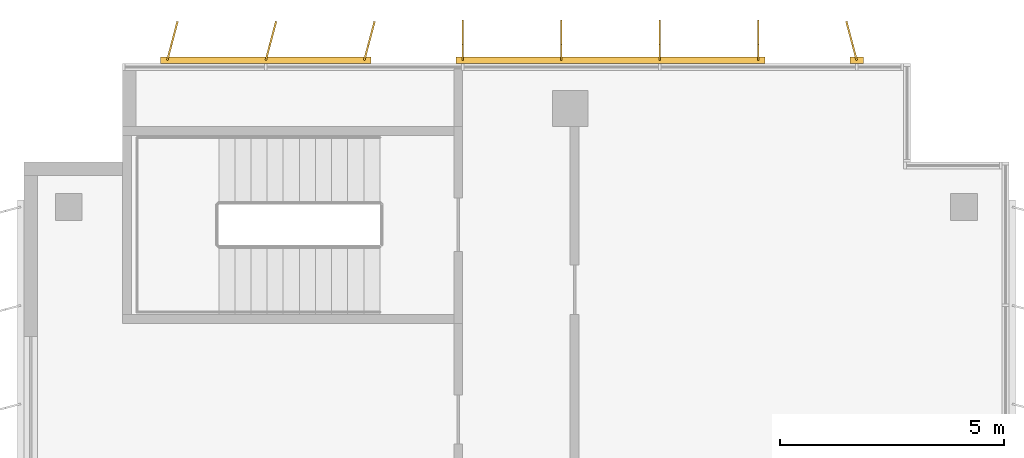
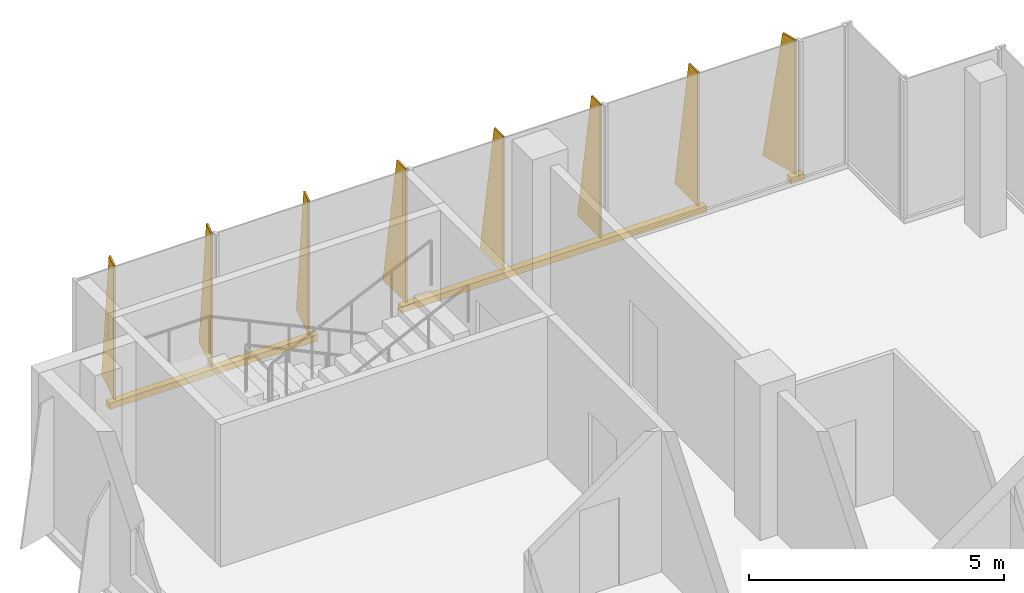
# One storey, part 15 of 15: 3 shading devices.
"""IFC4 building model written with IfcOpenShell, lengths in metres."""

from ifc_helpers import new_model, si_unit, direction, frame, origin, origin_2d, place, context, subcontext, project, spatial, polyline, rectangle, outline, extrude, source, transform, mapped, material, layer, layer_set, type_object, element, save


model = new_model("IFC4")

# Units and contexts
model_context = context("Model", 3, precision=1e-05, world=origin(), true_north=direction((0.0, 1.0)))
body_context = subcontext(model_context, "Body", "Model", "MODEL_VIEW")
ifc_project = project(units=[si_unit("LENGTHUNIT", "METRE"), si_unit("AREAUNIT", "SQUARE_METRE"), si_unit("VOLUMEUNIT", "CUBIC_METRE"), si_unit("PLANEANGLEUNIT", "RADIAN"), si_unit("MASSUNIT", "GRAM", prefix="KILO")], contexts=[model_context])

# Site, building, storey
site_placement = place(None, origin())
site = spatial("IfcSite", under=ifc_project, at=site_placement, CompositionType="ELEMENT")
building_placement = place(site_placement, origin())
building = spatial("IfcBuilding", under=site, at=building_placement, Name="Kemantara Hotel Tower", CompositionType="ELEMENT")
storey_placement = place(building_placement, frame((0.0, 0.0, 279.60009765625)))
storey = spatial("IfcBuildingStorey", under=building, at=storey_placement, Name="L70", CompositionType="ELEMENT", Elevation=279.60009765625)

# Shading devices
ifc_material = material(Name="Perforated aluminium plate 4 mm bronze anodised", Category="aluminium")
ifc_layer_1 = layer(ifc_material, 0.0400390625)
ifc_layer_set_1 = layer_set([ifc_layer_1], Name="Perforated aluminium plate 4 mm bronze anodised")
shading_device_type_1 = type_object("IfcShadingDeviceType", Name="SCREEN FIN CASSETTE, 3 BLADES AT -15.0 DEG, 3200 HIGH", PredefinedType="USERDEFINED", material=ifc_layer_set_1)
shared_shape_1 = source(origin(), body_context, "Body", "SweptSolid", [
    extrude(rectangle(XDim=4.699951171875, YDim=0.14990234375, at=origin_2d()), frame((2.199951171875, -0.074951171875, -0.14990234375), z_axis=(0.0, 0.0, 1.0), x_axis=(1.0, 0.0, 0.0)), (0.0, 0.0, 1.0), 0.14990234375),
    extrude(outline(polyline([(0.0, 0.0), (0.89990234375, 0.0), (0.35009765625, 3.199951171875), (0.0, 3.199951171875), (0.0, 0.0)])), frame((0.019287109375, -0.080078125, 0.0), z_axis=(-0.966437683387, 0.256901156343, 0.0), x_axis=(-0.256901156343, -0.966437683387, 0.0)), (0.0, 0.0, 1.0), 0.039794921875),
    extrude(outline(polyline([(0.0, 0.0), (0.89990234375, 0.0), (0.35009765625, 3.199951171875), (0.0, 3.199951171875), (0.0, 0.0)])), frame((2.21923828125, -0.080078125, 0.0), z_axis=(-0.966437683387, 0.256901156343, 0.0), x_axis=(-0.256901156343, -0.966437683387, 0.0)), (0.0, 0.0, 1.0), 0.039794921875),
    extrude(outline(polyline([(0.0, 0.0), (0.89990234375, 0.0), (0.35009765625, 3.199951171875), (0.0, 3.199951171875), (0.0, 0.0)])), frame((4.41943359375, -0.080078125, 0.0), z_axis=(-0.966837822169, 0.255391122837, 0.0), x_axis=(-0.255391122837, -0.966837822169, 0.0)), (0.0, 0.0, 1.0), 0.0400390625),
])
shading_device_1_placement = place(storey_placement, frame((7.60009765625, 63.60009765625, 0.099853515625), z_axis=(0.0, 0.0, 1.0), x_axis=(-1.0, 0.0, 0.0)))
element("IfcShadingDevice", 1, at=shading_device_1_placement, inside=storey, type_object=shading_device_type_1, Name="SCREEN FIN CASSETTE L70 T4-R02-3", ObjectType="SCREEN FIN", PredefinedType="USERDEFINED", context=body_context, shape_type="MappedRepresentation", body=[
    mapped(shared_shape_1, transform((0.0, 0.0, 0.0))),
])
ifc_layer_2 = layer(ifc_material, 0.0400390625)
ifc_layer_set_2 = layer_set([ifc_layer_2], Name="Perforated aluminium plate 4 mm bronze anodised")
shading_device_type_2 = type_object("IfcShadingDeviceType", Name="SCREEN FIN CASSETTE, 4 BLADES AT +0.0 DEG, 3200 HIGH", PredefinedType="USERDEFINED", material=ifc_layer_set_2)
shared_shape_2 = source(origin(), body_context, "Body", "SweptSolid", [
    extrude(rectangle(XDim=6.89990234375, YDim=0.14990234375, at=origin_2d()), frame((3.300048828125, -0.074951171875, -0.14990234375), z_axis=(0.0, 0.0, 1.0), x_axis=(1.0, 0.0, 0.0)), (0.0, 0.0, 1.0), 0.14990234375),
    extrude(outline(polyline([(0.0, 0.0), (0.89990234375, 0.0), (0.35009765625, 3.199951171875), (0.0, 3.199951171875), (0.0, 0.0)])), frame((0.02001953125, -0.074951171875, 0.0), z_axis=(-1.0, 0.0, 0.0), x_axis=(0.0, -1.0, 0.0)), (0.0, 0.0, 1.0), 0.0400390625),
    extrude(outline(polyline([(0.0, 0.0), (0.89990234375, 0.0), (0.35009765625, 3.199951171875), (0.0, 3.199951171875), (0.0, 0.0)])), frame((2.219970703125, -0.074951171875, 0.0), z_axis=(-1.0, 0.0, 0.0), x_axis=(0.0, -1.0, 0.0)), (0.0, 0.0, 1.0), 0.0400390625),
    extrude(outline(polyline([(0.0, 0.0), (0.89990234375, 0.0), (0.35009765625, 3.199951171875), (0.0, 3.199951171875), (0.0, 0.0)])), frame((4.419921875, -0.074951171875, 0.0), z_axis=(-1.0, 0.0, 0.0), x_axis=(0.0, -1.0, 0.0)), (0.0, 0.0, 1.0), 0.0400390625),
    extrude(outline(polyline([(0.0, 0.0), (0.89990234375, 0.0), (0.35009765625, 3.199951171875), (0.0, 3.199951171875), (0.0, 0.0)])), frame((6.6201171875, -0.074951171875, 0.0), z_axis=(-1.0, 0.0, 0.0), x_axis=(0.0, -1.0, 0.0)), (0.0, 0.0, 1.0), 0.0400390625),
])
shading_device_2_placement = place(storey_placement, frame((16.39990234375, 63.60009765625, 0.099853515625), z_axis=(0.0, 0.0, 1.0), x_axis=(-1.0, 0.0, 0.0)))
element("IfcShadingDevice", 2, at=shading_device_2_placement, inside=storey, type_object=shading_device_type_2, Name="SCREEN FIN CASSETTE L70 T4-R02-2", ObjectType="SCREEN FIN", PredefinedType="USERDEFINED", context=body_context, shape_type="MappedRepresentation", body=[
    mapped(shared_shape_2, transform((0.0, 0.0, 0.0))),
])
ifc_layer_3 = layer(ifc_material, 0.0400390625)
ifc_layer_set_3 = layer_set([ifc_layer_3], Name="Perforated aluminium plate 4 mm bronze anodised")
shading_device_type_3 = type_object("IfcShadingDeviceType", Name="SCREEN FIN CASSETTE, 1 BLADE AT +15.0 DEG, 3200 HIGH", PredefinedType="USERDEFINED", material=ifc_layer_set_3)
shared_shape_3 = source(origin(), body_context, "Body", "SweptSolid", [
    extrude(rectangle(XDim=0.300048828125, YDim=0.14990234375, at=origin_2d()), frame((0.0, -0.074951171875, -0.14990234375), z_axis=(0.0, 0.0, 1.0), x_axis=(1.0, 0.0, 0.0)), (0.0, 0.0, 1.0), 0.14990234375),
    extrude(outline(polyline([(0.0, 0.0), (0.89990234375, 0.0), (0.35009765625, 3.199951171875), (0.0, 3.199951171875), (0.0, 0.0)])), frame((0.019287109375, -0.06982421875, 0.0), z_axis=(-0.966437683387, -0.256901156343, 0.0), x_axis=(0.256901156343, -0.966437683387, 0.0)), (0.0, 0.0, 1.0), 0.039794921875),
])
shading_device_3_placement = place(storey_placement, frame((18.60009765625, 63.60009765625, 0.099853515625), z_axis=(0.0, 0.0, 1.0), x_axis=(-1.0, 0.0, 0.0)))
element("IfcShadingDevice", 3, at=shading_device_3_placement, inside=storey, type_object=shading_device_type_3, Name="SCREEN FIN CASSETTE L70 T4-R02-1", ObjectType="SCREEN FIN", PredefinedType="USERDEFINED", context=body_context, shape_type="MappedRepresentation", body=[
    mapped(shared_shape_3, transform((0.0, 0.0, 0.0))),
])

save(model, "model.ifc")
